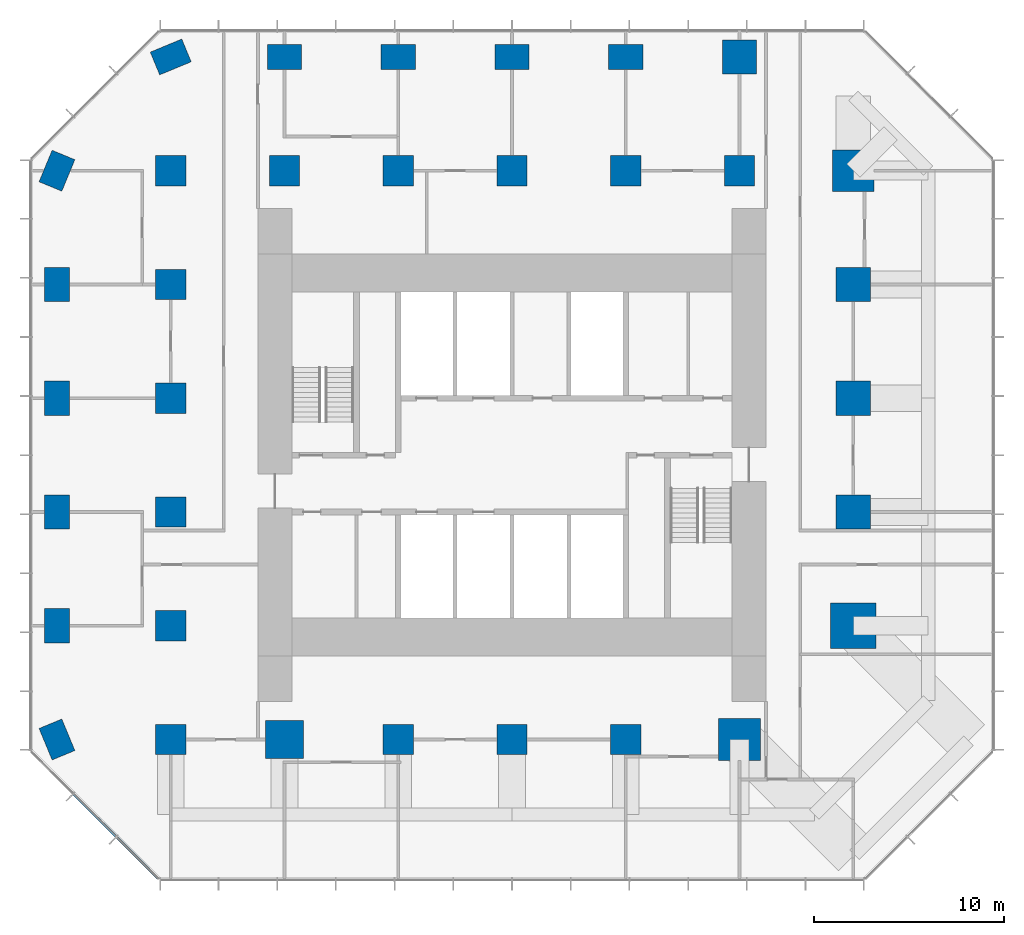
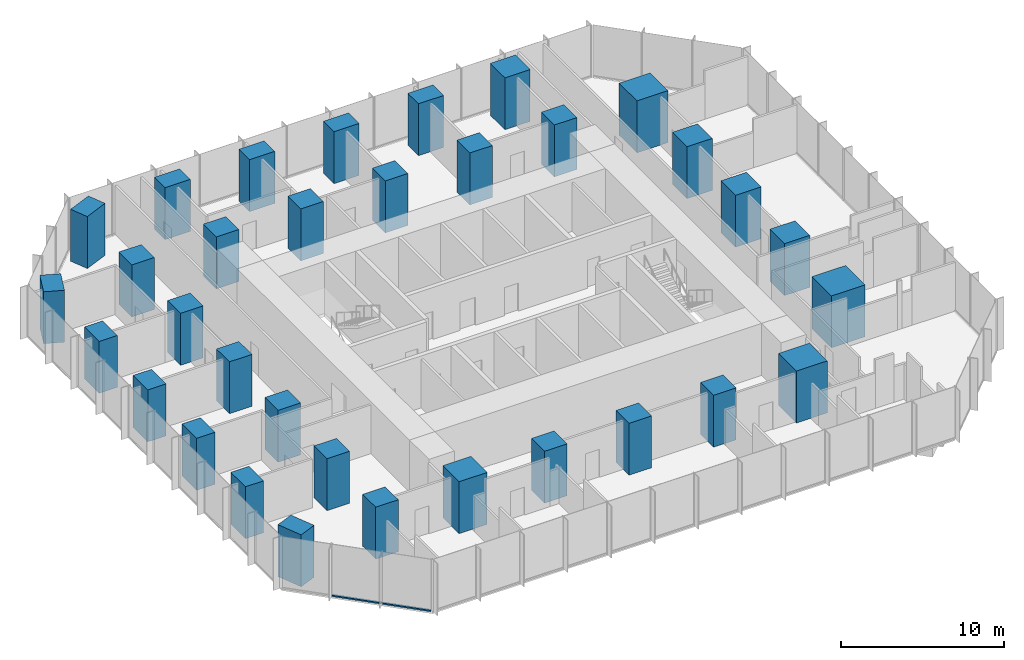
# One storey, part 1 of 12: 33 columns, 2 members, 1 element without a shape of its own.
"""IFC4 building model written with IfcOpenShell, lengths in metres."""

import ifcopenshell
import ifcopenshell.guid

model = None  # the IFC model being written
_history = None  # IfcOwnerHistory: only IFC2X3 demands one
_inside = {}  # id of a spatial element -> (the spatial element, [elements in it])
_under = {}  # id of a project, library or spatial element -> (it, [spatial elements below it])
_declared = {}  # id of a project -> (the project, [libraries it declares])
_typed = {}  # id of a type object -> (the type object, [elements of that type])
_made_of = {}  # id of a material, layer set ... -> (it, [elements and type objects made of it])


def new_model(schema):
    """Start an empty IFC model of exactly this schema.

    Asked for "IFC4X3", IfcOpenShell would pick the latest addendum, in which some entities
    have other attributes; the version numbers below select the first issue.
    IFC2X3 requires an IfcOwnerHistory on every rooted entity: one is made here for all.
    """
    global model, _history
    if schema == "IFC4X3":
        model = ifcopenshell.file(schema_version=(4, 3, 0, 0))
    else:
        model = ifcopenshell.file(schema=schema)
    _inside.clear()
    _under.clear()
    _declared.clear()
    _typed.clear()
    _made_of.clear()
    _history = None
    if model.schema == "IFC2X3":
        org = make("IfcOrganization", Name="unknown")
        user = make(
            "IfcPersonAndOrganization",
            ThePerson=make("IfcPerson", FamilyName="unknown"),
            TheOrganization=org,
        )
        app = make(
            "IfcApplication",
            ApplicationDeveloper=org,
            Version="unknown",
            ApplicationFullName="unknown",
            ApplicationIdentifier="unknown",
        )
        _history = make(
            "IfcOwnerHistory",
            OwningUser=user,
            OwningApplication=app,
            ChangeAction="ADDED",
            CreationDate=0,
        )
    return model


def make(cls, **values):
    """One entity of the class cls with the attributes given. An attribute that is None is left unset."""
    return model.create_entity(
        cls, **{name: value for name, value in values.items() if value is not None}
    )


def rooted(cls, **values):
    """An entity with a GlobalId (a new one), such as an element, a storey or a relation."""
    return make(cls, GlobalId=ifcopenshell.guid.new(), OwnerHistory=_history, **values)


def si_unit(unit_type, name, prefix=None):
    """IfcSIUnit, for example si_unit("LENGTHUNIT", "METRE", prefix="MILLI")."""
    return make("IfcSIUnit", UnitType=unit_type, Prefix=prefix, Name=name)


def assignment(units):
    """IfcUnitAssignment: the units of a project."""
    return None if units is None else make("IfcUnitAssignment", Units=units)


def point(xyz):
    """IfcCartesianPoint."""
    return None if xyz is None else make("IfcCartesianPoint", Coordinates=xyz)


def direction(xyz):
    """IfcDirection."""
    return None if xyz is None else make("IfcDirection", DirectionRatios=xyz)


def frame(location, z_axis=None, x_axis=None):
    """IfcAxis2Placement3D, a coordinate frame: its origin and axes. An axis left out is left unset."""
    return make(
        "IfcAxis2Placement3D",
        Location=point(location),
        Axis=direction(z_axis),
        RefDirection=direction(x_axis),
    )


def frame_2d(location, x_axis=None):
    """IfcAxis2Placement2D, a coordinate frame in the plane: its origin and x axis."""
    return make(
        "IfcAxis2Placement2D", Location=point(location), RefDirection=direction(x_axis)
    )


def origin():
    """The frame at (0, 0, 0) with its axes left unset."""
    return frame((0.0, 0.0, 0.0))


def origin_2d():
    """The frame at (0, 0) in the plane with its x axis left unset."""
    return frame_2d((0.0, 0.0))


def place(relative_to, where):
    """IfcLocalPlacement: puts the frame where relative to a parent placement (None: the world)."""
    return make(
        "IfcLocalPlacement", PlacementRelTo=relative_to, RelativePlacement=where
    )


def context(
    kind, dimensions, precision=None, world=None, true_north=None, identifier=None
):
    """IfcGeometricRepresentationContext, for example the 3D "Model" context."""
    return make(
        "IfcGeometricRepresentationContext",
        ContextIdentifier=identifier,
        ContextType=kind,
        CoordinateSpaceDimension=dimensions,
        Precision=precision,
        WorldCoordinateSystem=world,
        TrueNorth=true_north,
    )


def subcontext(parent, identifier, kind, view, scale=None):
    """IfcGeometricRepresentationSubContext, for example "Body" below "Model"."""
    return make(
        "IfcGeometricRepresentationSubContext",
        ContextIdentifier=identifier,
        ContextType=kind,
        ParentContext=parent,
        TargetScale=scale,
        TargetView=view,
    )


def project(units=None, contexts=None):
    """IfcProject with its units and contexts."""
    return rooted(
        "IfcProject",
        Name="project",
        RepresentationContexts=contexts,
        UnitsInContext=assignment(units),
    )


def spatial(cls, under=None, at=None, **own):
    """A site, building, storey or space (cls), placed at a placement, below another one or the project."""
    s = rooted(cls, ObjectPlacement=at, **own)
    if under is not None:
        _under.setdefault(under.id(), (under, []))[1].append(s)
    return s


def profile(cls, at=None, kind="AREA", **sizes):
    """A parametric profile (cls). Its sizes go by their IFC names, for example OverallWidth=200.0."""
    return make(cls, ProfileType=kind, Position=at, **sizes)


def rectangle(**sizes):
    """IfcRectangleProfileDef."""
    return profile("IfcRectangleProfileDef", **sizes)


def extrude(swept, where, along, depth):
    """IfcExtrudedAreaSolid: the profile swept, set in the frame where, extruded along a direction by depth."""
    return make(
        "IfcExtrudedAreaSolid",
        SweptArea=swept,
        Position=where,
        ExtrudedDirection=direction(along),
        Depth=depth,
    )


def shape(context_of_items, identifier, shape_type, items):
    """IfcShapeRepresentation: the items that make up one representation, for example the "Body"."""
    return make(
        "IfcShapeRepresentation",
        ContextOfItems=context_of_items,
        RepresentationIdentifier=identifier,
        RepresentationType=shape_type,
        Items=items,
    )


def material(Name=None, Category=None):
    """IfcMaterial."""
    return make("IfcMaterial", Name=Name, Category=Category)


def layer(
    of_material, thickness, ventilated=None, Name=None, Category=None, Priority=None
):
    """IfcMaterialLayer: one layer of a wall or slab, of a material (None: an air gap)."""
    return make(
        "IfcMaterialLayer",
        Material=of_material,
        LayerThickness=thickness,
        IsVentilated=ventilated,
        Name=Name,
        Category=Category,
        Priority=Priority,
    )


def layer_set(layers, Name=None):
    """IfcMaterialLayerSet."""
    return make("IfcMaterialLayerSet", MaterialLayers=layers, LayerSetName=Name)


def material_profile(
    of_material, cross_section, Name=None, Category=None, Priority=None
):
    """IfcMaterialProfile: a cross section and its material."""
    return make(
        "IfcMaterialProfile",
        Name=Name,
        Material=of_material,
        Profile=cross_section,
        Priority=Priority,
        Category=Category,
    )


def profile_set(profiles, Name=None, composite=None):
    """IfcMaterialProfileSet."""
    return make(
        "IfcMaterialProfileSet",
        Name=Name,
        MaterialProfiles=profiles,
        CompositeProfile=composite,
    )


def made_of(thing, what):
    """Note that an element or type object is made of a material, layer set ...; save() writes the relation."""
    if what is not None:
        _made_of.setdefault(what.id(), (what, []))[1].append(thing)
    return thing


def type_object(cls, material=None, **own):
    """A type object (cls), such as IfcWallType, which elements share."""
    return made_of(rooted(cls, **own), material)


def element(
    cls,
    number,
    at=None,
    inside=None,
    cuts=None,
    type_object=None,
    material=None,
    context=None,
    identifier="Body",
    shape_type=None,
    held_by="IfcProductDefinitionShape",
    body=None,
    shapes=None,
    **own,
):
    """One element of the class cls, such as IfcWall. Its Tag is "e" and its number.

    at: its placement. inside: the storey or other place that contains it. cuts: it is an
    opening in that element (IfcRelVoidsElement). A single representation is given by context,
    identifier, shape_type and body (its items); several are given by shapes. held_by: the class
    of the entity that holds the representations. save() writes the other relations.
    """
    e = rooted(cls, Tag="e%d" % number, ObjectPlacement=at, **own)
    if body is not None:
        shapes = [shape(context, identifier, shape_type, body)]
    if shapes is not None:
        e.Representation = make(held_by, Representations=shapes)
    if inside is not None:
        _inside.setdefault(inside.id(), (inside, []))[1].append(e)
    if cuts is not None:
        rooted(
            "IfcRelVoidsElement", RelatingBuildingElement=cuts, RelatedOpeningElement=e
        )
    if type_object is not None:
        _typed.setdefault(type_object.id(), (type_object, []))[1].append(e)
    return made_of(e, material)


def aggregate(whole, parts):
    """IfcRelAggregates: a whole, such as a stair, and the parts it consists of."""
    return rooted("IfcRelAggregates", RelatingObject=whole, RelatedObjects=parts)


def save(model, path):
    """Write the relations noted so far, then the file.

    IfcRelAggregates (storeys below a building ...), IfcRelContainedInSpatialStructure (elements
    in a storey), IfcRelDefinesByType, IfcRelAssociatesMaterial and IfcRelDeclares: one each for
    every whole, place, type object, material and project.
    """
    for whole, parts in _under.values():
        aggregate(whole, parts)
    for where, things in _inside.values():
        rooted(
            "IfcRelContainedInSpatialStructure",
            RelatedElements=things,
            RelatingStructure=where,
        )
    for kind, things in _typed.values():
        rooted("IfcRelDefinesByType", RelatedObjects=things, RelatingType=kind)
    for what, things in _made_of.values():
        rooted("IfcRelAssociatesMaterial", RelatedObjects=things, RelatingMaterial=what)
    for by, libraries in _declared.values():
        rooted("IfcRelDeclares", RelatingContext=by, RelatedDefinitions=libraries)
    model.write(path)


model = new_model("IFC4")

# Units and contexts
model_context = context("Model", 3, precision=1e-05, world=origin(), true_north=direction((0.0, 1.0)))
body_context = subcontext(model_context, "Body", "Model", "MODEL_VIEW")
ifc_project = project(units=[si_unit("LENGTHUNIT", "METRE"), si_unit("AREAUNIT", "SQUARE_METRE"), si_unit("VOLUMEUNIT", "CUBIC_METRE"), si_unit("PLANEANGLEUNIT", "RADIAN"), si_unit("MASSUNIT", "GRAM", prefix="KILO")], contexts=[model_context])

# Site, building, storey
site_placement = place(None, origin())
site = spatial("IfcSite", under=ifc_project, at=site_placement, CompositionType="ELEMENT")
building_placement = place(site_placement, origin())
building = spatial("IfcBuilding", under=site, at=building_placement, Name="Highveld Stack Headquarters", CompositionType="ELEMENT")
storey_placement = place(building_placement, frame((0.0, 0.0, 148.39990234375)))
storey = spatial("IfcBuildingStorey", under=building, at=storey_placement, Name="L36", CompositionType="ELEMENT", Elevation=148.39990234375)

# Columns
ifc_material_1 = material(Name="Concrete C60/75", Category="concrete")
ifc_material_profile_1 = material_profile(ifc_material_1, rectangle(XDim=1.60009765625, YDim=1.60009765625, at=origin_2d()), Name="RC 1600x1600")
ifc_profile_set_1 = profile_set([ifc_material_profile_1], Name="Concrete C60/75")
column_type_1 = type_object("IfcColumnType", Name="COLUMN RC 1600x1600 C60/75", PredefinedType="COLUMN", material=ifc_profile_set_1)
for number, where, z_axis, x_axis, name in (
    (1, (-12.0, -12.0, 0.0), (0.0, 0.0, 1.0), (1.0, 0.0, 0.0), "Column 4/C L36"),
    (2, (-12.0, -6.0, 0.0), (0.0, 0.0, 1.0), (1.0, 0.0, 0.0), "Column 4/D L36"),
    (3, (-12.0, 0.0, 0.0), (0.0, 0.0, 1.0), (1.0, 0.0, 0.0), "Column 4/E L36"),
    (4, (-12.0, 6.0, 0.0), (0.0, 0.0, 1.0), (1.0, 0.0, 0.0), "Column 4/F L36"),
    (5, (-12.0, 12.0, 0.0), (0.0, 0.0, 1.0), (1.0, 0.0, 0.0), "Column 4/G L36"),
    (6, (-12.0, 18.0, 0.0), (0.0, 0.0, 1.0), (1.0, 0.0, 0.0), "Column 4/H L36"),
    (7, (-6.0, 18.0, 0.0), (0.0, 0.0, 1.0), (1.0, 0.0, 0.0), "Column 5/H L36"),
    (8, (0.0, -12.0, 0.0), (0.0, 0.0, 1.0), (1.0, 0.0, 0.0), "Column 6/C L36"),
    (9, (0.0, 18.0, 0.0), (0.0, 0.0, 1.0), (1.0, 0.0, 0.0), "Column 6/H L36"),
    (10, (6.0, -12.0, 0.0), (0.0, 0.0, 1.0), (1.0, 0.0, 0.0), "Column 7/C L36"),
    (11, (6.0, 18.0, 0.0), (0.0, 0.0, 1.0), (1.0, 0.0, 0.0), "Column 7/H L36"),
    (12, (12.0, -12.0, 0.0), (0.0, 0.0, 1.0), (1.0, 0.0, 0.0), "Column 8/C L36"),
    (13, (12.0, 18.0, 0.0), (0.0, 0.0, 1.0), (1.0, 0.0, 0.0), "Column 8/H L36"),
    (14, (18.0, 18.0, 0.0), (0.0, 0.0, 1.0), (1.0, 0.0, 0.0), "Column 9/H L36"),
):
    element("IfcColumn", number, at=place(storey_placement, frame(where, z_axis=z_axis, x_axis=x_axis)), inside=storey, type_object=column_type_1, Name=name, PredefinedType="COLUMN", context=body_context, shape_type="SweptSolid", body=[
        extrude(rectangle(XDim=1.60009765625, YDim=1.60009765625, at=origin_2d()), origin(), (0.0, 0.0, 1.0), 3.900146484375),
    ])
ifc_material_2 = material(Name="Concrete C60/75", Category="concrete")
ifc_material_profile_2 = material_profile(ifc_material_2, rectangle(XDim=1.800048828125, YDim=1.300048828125, at=origin_2d()), Name="RC 1800x1300")
ifc_profile_set_2 = profile_set([ifc_material_profile_2], Name="Concrete C60/75")
column_type_2 = type_object("IfcColumnType", Name="COLUMN RC 1800x1300 C60/75", PredefinedType="COLUMN", material=ifc_profile_set_2)
for number, where, z_axis, x_axis, name in (
    (15, (-18.0, -12.0, 0.0), (0.0, 0.0, 1.0), (-0.382683432365, 0.923879532511, 0.0), "Column 3/C L36"),
    (16, (-18.0, -6.0, 0.0), (0.0, 0.0, 1.0), (0.0, 1.0, 0.0), "Column 3/D L36"),
    (17, (-18.0, 0.0, 0.0), (0.0, 0.0, 1.0), (0.0, 1.0, 0.0), "Column 3/E L36"),
    (18, (-18.0, 6.0, 0.0), (0.0, 0.0, 1.0), (0.0, 1.0, 0.0), "Column 3/F L36"),
    (19, (-18.0, 12.0, 0.0), (0.0, 0.0, 1.0), (0.0, 1.0, 0.0), "Column 3/G L36"),
    (20, (-18.0, 18.0, 0.0), (0.0, 0.0, 1.0), (0.382683432365, 0.923879532511, 0.0), "Column 3/H L36"),
    (21, (-12.0, 24.0, 0.0), (0.0, 0.0, 1.0), (0.923879532511, 0.382683432365, 0.0), "Column 4/J L36"),
    (22, (-6.0, 24.0, 0.0), (0.0, 0.0, 1.0), (1.0, 0.0, 0.0), "Column 5/J L36"),
    (23, (0.0, 24.0, 0.0), (0.0, 0.0, 1.0), (1.0, 0.0, 0.0), "Column 6/J L36"),
    (24, (6.0, 24.0, 0.0), (0.0, 0.0, 1.0), (1.0, 0.0, 0.0), "Column 7/J L36"),
    (25, (12.0, 24.0, 0.0), (0.0, 0.0, 1.0), (1.0, 0.0, 0.0), "Column 8/J L36"),
):
    element("IfcColumn", number, at=place(storey_placement, frame(where, z_axis=z_axis, x_axis=x_axis)), inside=storey, type_object=column_type_2, Name=name, PredefinedType="COLUMN", context=body_context, shape_type="SweptSolid", body=[
        extrude(rectangle(XDim=1.800048828125, YDim=1.300048828125, at=origin_2d()), origin(), (0.0, 0.0, 1.0), 3.900146484375),
    ])
ifc_material_3 = material(Name="Concrete C60/75", Category="concrete")
ifc_material_profile_3 = material_profile(ifc_material_3, rectangle(XDim=1.800048828125, YDim=1.800048828125, at=origin_2d()), Name="RC 1800x1800")
ifc_profile_set_3 = profile_set([ifc_material_profile_3], Name="Concrete C60/75")
column_type_3 = type_object("IfcColumnType", Name="COLUMN RC 1800x1800 C60/75", PredefinedType="COLUMN", material=ifc_profile_set_3)
for number, where, z_axis, x_axis, name in (
    (26, (18.0, 24.0, 0.0), (0.0, 0.0, 1.0), (1.0, 0.0, 0.0), "Column 9/J L36"),
    (27, (24.0, 0.0, 0.0), (0.0, 0.0, 1.0), (1.0, 0.0, 0.0), "Column 10/E L36"),
    (28, (24.0, 6.0, 0.0), (0.0, 0.0, 1.0), (1.0, 0.0, 0.0), "Column 10/F L36"),
    (29, (24.0, 12.0, 0.0), (0.0, 0.0, 1.0), (1.0, 0.0, 0.0), "Column 10/G L36"),
):
    element("IfcColumn", number, at=place(storey_placement, frame(where, z_axis=z_axis, x_axis=x_axis)), inside=storey, type_object=column_type_3, Name=name, PredefinedType="COLUMN", context=body_context, shape_type="SweptSolid", body=[
        extrude(rectangle(XDim=1.800048828125, YDim=1.800048828125, at=origin_2d()), origin(), (0.0, 0.0, 1.0), 3.900146484375),
    ])
ifc_material_4 = material(Name="Concrete C60/75", Category="concrete")
ifc_material_profile_4 = material_profile(ifc_material_4, rectangle(XDim=2.0, YDim=2.0, at=origin_2d()), Name="RC 2000x2000")
ifc_profile_set_4 = profile_set([ifc_material_profile_4], Name="Concrete C60/75")
column_type_4 = type_object("IfcColumnType", Name="COLUMN RC 2000x2000 C60/75", PredefinedType="COLUMN", material=ifc_profile_set_4)
column_1_placement = place(storey_placement, frame((-6.0, -12.0, 0.0), z_axis=(0.0, 0.0, 1.0), x_axis=(1.0, 0.0, 0.0)))
element("IfcColumn", 30, at=column_1_placement, inside=storey, type_object=column_type_4, Name="Column 5/C L36", PredefinedType="COLUMN", context=body_context, shape_type="SweptSolid", body=[
    extrude(rectangle(XDim=2.0, YDim=2.0, at=origin_2d()), origin(), (0.0, 0.0, 1.0), 3.900146484375),
])
ifc_material_5 = material(Name="Concrete C60/75", Category="concrete")
ifc_material_profile_5 = material_profile(ifc_material_5, rectangle(XDim=2.199951171875, YDim=2.199951171875, at=origin_2d()), Name="RC 2200x2200")
ifc_profile_set_5 = profile_set([ifc_material_profile_5], Name="Concrete C60/75")
column_type_5 = type_object("IfcColumnType", Name="COLUMN RC 2200x2200 C60/75", PredefinedType="COLUMN", material=ifc_profile_set_5)
for number, where, z_axis, x_axis, name in (
    (31, (18.0, -12.0, 0.0), (0.0, 0.0, 1.0), (1.0, 0.0, 0.0), "Column 9/C L36"),
    (32, (24.0, 18.0, 0.0), (0.0, 0.0, 1.0), (1.0, 0.0, 0.0), "Column 10/H L36"),
):
    element("IfcColumn", number, at=place(storey_placement, frame(where, z_axis=z_axis, x_axis=x_axis)), inside=storey, type_object=column_type_5, Name=name, PredefinedType="COLUMN", context=body_context, shape_type="SweptSolid", body=[
        extrude(rectangle(XDim=2.199951171875, YDim=2.199951171875, at=origin_2d()), origin(), (0.0, 0.0, 1.0), 3.900146484375),
    ])
ifc_material_6 = material(Name="Concrete C60/75", Category="concrete")
ifc_material_profile_6 = material_profile(ifc_material_6, rectangle(XDim=2.39990234375, YDim=2.39990234375, at=origin_2d()), Name="RC 2400x2400")
ifc_profile_set_6 = profile_set([ifc_material_profile_6], Name="Concrete C60/75")
column_type_6 = type_object("IfcColumnType", Name="COLUMN RC 2400x2400 C60/75", PredefinedType="COLUMN", material=ifc_profile_set_6)
column_2_placement = place(storey_placement, frame((24.0, -6.0, 0.0), z_axis=(0.0, 0.0, 1.0), x_axis=(1.0, 0.0, 0.0)))
element("IfcColumn", 33, at=column_2_placement, inside=storey, type_object=column_type_6, Name="Column 10/D L36", PredefinedType="COLUMN", context=body_context, shape_type="SweptSolid", body=[
    extrude(rectangle(XDim=2.39990234375, YDim=2.39990234375, at=origin_2d()), origin(), (0.0, 0.0, 1.0), 3.900146484375),
])

# Curtain wall, members
ifc_material_7 = material(Name="Aluminium bronze anodised", Category="aluminium")
ifc_layer = layer(ifc_material_7, 0.199951171875)
ifc_layer_set = layer_set([ifc_layer], Name="Aluminium bronze anodised")
curtain_wall_type = type_object("IfcCurtainWallType", Name="CW2 TOWER CHAMFER UNITISED CURTAIN WALL", PredefinedType="NOTDEFINED", material=ifc_layer_set)
curtain_wall_placement = place(storey_placement, origin())
curtain_wall = element("IfcCurtainWall", 34, at=curtain_wall_placement, inside=storey, type_object=curtain_wall_type, Name="Curtain wall CW2 L36 SW", PredefinedType="NOTDEFINED")
ifc_material_8 = material(Name="Aluminium bronze anodised", Category="aluminium")
ifc_material_profile_7 = material_profile(ifc_material_8, rectangle(XDim=0.14990234375, YDim=0.10009765625, at=origin_2d()), Name="CW2 TRANSOM 150x100")
ifc_profile_set_7 = profile_set([ifc_material_profile_7], Name="Aluminium bronze anodised")
member_type = type_object("IfcMemberType", Name="CW2 STACK TRANSOM 150x100", PredefinedType="USERDEFINED", material=ifc_profile_set_7)
member_1_placement = place(storey_placement, frame((-17.103759765625, -14.876220703125, 0.050048828125), z_axis=(0.707106781187, -0.707106781187, 0.0), x_axis=(0.707106781187, 0.707106781187, 0.0)))
member_1 = element("IfcMember", 35, at=member_1_placement, type_object=member_type, Name="CW2 transom L36 2.1", ObjectType="TRANSOM", PredefinedType="USERDEFINED", context=body_context, shape_type="SweptSolid", body=[
    extrude(rectangle(XDim=0.14990234375, YDim=0.10009765625, at=origin_2d()), origin(), (0.0, 0.0, 1.0), 3.150146484375),
])
member_2_placement = place(storey_placement, frame((-14.830322265625, -17.149658203125, 0.050048828125), z_axis=(0.707106781187, -0.707106781187, 0.0), x_axis=(0.707106781187, 0.707106781187, 0.0)))
member_2 = element("IfcMember", 36, at=member_2_placement, type_object=member_type, Name="CW2 transom L36 3.1", ObjectType="TRANSOM", PredefinedType="USERDEFINED", context=body_context, shape_type="SweptSolid", body=[
    extrude(rectangle(XDim=0.14990234375, YDim=0.10009765625, at=origin_2d()), origin(), (0.0, 0.0, 1.0), 3.08251953125),
])
aggregate(curtain_wall, [member_1, member_2])

save(model, "model.ifc")
